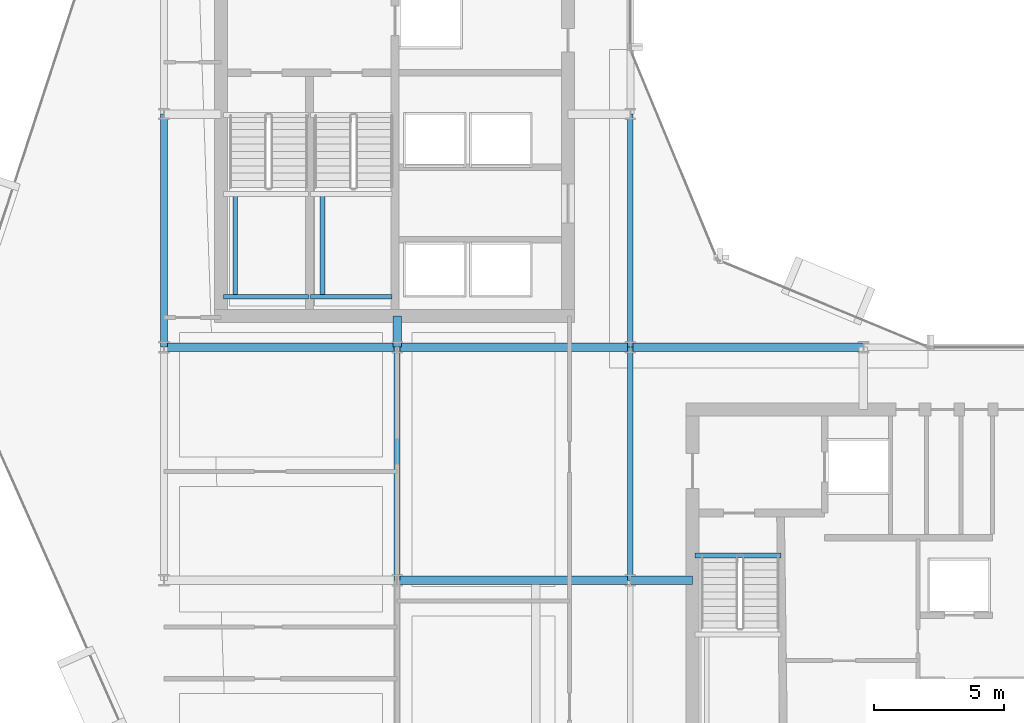
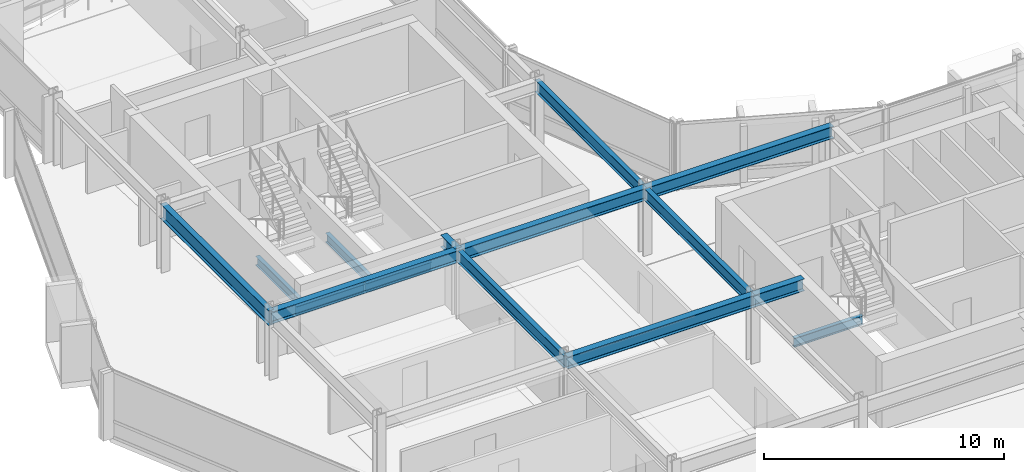
# One storey, part 7 of 29: 15 beams.
"""IFC4 building model written with IfcOpenShell, lengths in metres."""

import ifcopenshell
import ifcopenshell.guid

model = None  # the IFC model being written
_history = None  # IfcOwnerHistory: only IFC2X3 demands one
_inside = {}  # id of a spatial element -> (the spatial element, [elements in it])
_under = {}  # id of a project, library or spatial element -> (it, [spatial elements below it])
_declared = {}  # id of a project -> (the project, [libraries it declares])
_typed = {}  # id of a type object -> (the type object, [elements of that type])
_made_of = {}  # id of a material, layer set ... -> (it, [elements and type objects made of it])


def new_model(schema):
    """Start an empty IFC model of exactly this schema.

    Asked for "IFC4X3", IfcOpenShell would pick the latest addendum, in which some entities
    have other attributes; the version numbers below select the first issue.
    IFC2X3 requires an IfcOwnerHistory on every rooted entity: one is made here for all.
    """
    global model, _history
    if schema == "IFC4X3":
        model = ifcopenshell.file(schema_version=(4, 3, 0, 0))
    else:
        model = ifcopenshell.file(schema=schema)
    _inside.clear()
    _under.clear()
    _declared.clear()
    _typed.clear()
    _made_of.clear()
    _history = None
    if model.schema == "IFC2X3":
        org = make("IfcOrganization", Name="unknown")
        user = make(
            "IfcPersonAndOrganization",
            ThePerson=make("IfcPerson", FamilyName="unknown"),
            TheOrganization=org,
        )
        app = make(
            "IfcApplication",
            ApplicationDeveloper=org,
            Version="unknown",
            ApplicationFullName="unknown",
            ApplicationIdentifier="unknown",
        )
        _history = make(
            "IfcOwnerHistory",
            OwningUser=user,
            OwningApplication=app,
            ChangeAction="ADDED",
            CreationDate=0,
        )
    return model


def make(cls, **values):
    """One entity of the class cls with the attributes given. An attribute that is None is left unset."""
    return model.create_entity(
        cls, **{name: value for name, value in values.items() if value is not None}
    )


def rooted(cls, **values):
    """An entity with a GlobalId (a new one), such as an element, a storey or a relation."""
    return make(cls, GlobalId=ifcopenshell.guid.new(), OwnerHistory=_history, **values)


def si_unit(unit_type, name, prefix=None):
    """IfcSIUnit, for example si_unit("LENGTHUNIT", "METRE", prefix="MILLI")."""
    return make("IfcSIUnit", UnitType=unit_type, Prefix=prefix, Name=name)


def assignment(units):
    """IfcUnitAssignment: the units of a project."""
    return None if units is None else make("IfcUnitAssignment", Units=units)


def point(xyz):
    """IfcCartesianPoint."""
    return None if xyz is None else make("IfcCartesianPoint", Coordinates=xyz)


def direction(xyz):
    """IfcDirection."""
    return None if xyz is None else make("IfcDirection", DirectionRatios=xyz)


def frame(location, z_axis=None, x_axis=None):
    """IfcAxis2Placement3D, a coordinate frame: its origin and axes. An axis left out is left unset."""
    return make(
        "IfcAxis2Placement3D",
        Location=point(location),
        Axis=direction(z_axis),
        RefDirection=direction(x_axis),
    )


def frame_2d(location, x_axis=None):
    """IfcAxis2Placement2D, a coordinate frame in the plane: its origin and x axis."""
    return make(
        "IfcAxis2Placement2D", Location=point(location), RefDirection=direction(x_axis)
    )


def origin():
    """The frame at (0, 0, 0) with its axes left unset."""
    return frame((0.0, 0.0, 0.0))


def origin_2d():
    """The frame at (0, 0) in the plane with its x axis left unset."""
    return frame_2d((0.0, 0.0))


def place(relative_to, where):
    """IfcLocalPlacement: puts the frame where relative to a parent placement (None: the world)."""
    return make(
        "IfcLocalPlacement", PlacementRelTo=relative_to, RelativePlacement=where
    )


def context(
    kind, dimensions, precision=None, world=None, true_north=None, identifier=None
):
    """IfcGeometricRepresentationContext, for example the 3D "Model" context."""
    return make(
        "IfcGeometricRepresentationContext",
        ContextIdentifier=identifier,
        ContextType=kind,
        CoordinateSpaceDimension=dimensions,
        Precision=precision,
        WorldCoordinateSystem=world,
        TrueNorth=true_north,
    )


def subcontext(parent, identifier, kind, view, scale=None):
    """IfcGeometricRepresentationSubContext, for example "Body" below "Model"."""
    return make(
        "IfcGeometricRepresentationSubContext",
        ContextIdentifier=identifier,
        ContextType=kind,
        ParentContext=parent,
        TargetScale=scale,
        TargetView=view,
    )


def project(units=None, contexts=None):
    """IfcProject with its units and contexts."""
    return rooted(
        "IfcProject",
        Name="project",
        RepresentationContexts=contexts,
        UnitsInContext=assignment(units),
    )


def spatial(cls, under=None, at=None, **own):
    """A site, building, storey or space (cls), placed at a placement, below another one or the project."""
    s = rooted(cls, ObjectPlacement=at, **own)
    if under is not None:
        _under.setdefault(under.id(), (under, []))[1].append(s)
    return s


def profile(cls, at=None, kind="AREA", **sizes):
    """A parametric profile (cls). Its sizes go by their IFC names, for example OverallWidth=200.0."""
    return make(cls, ProfileType=kind, Position=at, **sizes)


def i_section(**sizes):
    """IfcIShapeProfileDef."""
    return profile("IfcIShapeProfileDef", **sizes)


def extrude(swept, where, along, depth):
    """IfcExtrudedAreaSolid: the profile swept, set in the frame where, extruded along a direction by depth."""
    return make(
        "IfcExtrudedAreaSolid",
        SweptArea=swept,
        Position=where,
        ExtrudedDirection=direction(along),
        Depth=depth,
    )


def shape(context_of_items, identifier, shape_type, items):
    """IfcShapeRepresentation: the items that make up one representation, for example the "Body"."""
    return make(
        "IfcShapeRepresentation",
        ContextOfItems=context_of_items,
        RepresentationIdentifier=identifier,
        RepresentationType=shape_type,
        Items=items,
    )


def material(Name=None, Category=None):
    """IfcMaterial."""
    return make("IfcMaterial", Name=Name, Category=Category)


def material_profile(
    of_material, cross_section, Name=None, Category=None, Priority=None
):
    """IfcMaterialProfile: a cross section and its material."""
    return make(
        "IfcMaterialProfile",
        Name=Name,
        Material=of_material,
        Profile=cross_section,
        Priority=Priority,
        Category=Category,
    )


def profile_set(profiles, Name=None, composite=None):
    """IfcMaterialProfileSet."""
    return make(
        "IfcMaterialProfileSet",
        Name=Name,
        MaterialProfiles=profiles,
        CompositeProfile=composite,
    )


def made_of(thing, what):
    """Note that an element or type object is made of a material, layer set ...; save() writes the relation."""
    if what is not None:
        _made_of.setdefault(what.id(), (what, []))[1].append(thing)
    return thing


def type_object(cls, material=None, **own):
    """A type object (cls), such as IfcWallType, which elements share."""
    return made_of(rooted(cls, **own), material)


def element(
    cls,
    number,
    at=None,
    inside=None,
    cuts=None,
    type_object=None,
    material=None,
    context=None,
    identifier="Body",
    shape_type=None,
    held_by="IfcProductDefinitionShape",
    body=None,
    shapes=None,
    **own,
):
    """One element of the class cls, such as IfcWall. Its Tag is "e" and its number.

    at: its placement. inside: the storey or other place that contains it. cuts: it is an
    opening in that element (IfcRelVoidsElement). A single representation is given by context,
    identifier, shape_type and body (its items); several are given by shapes. held_by: the class
    of the entity that holds the representations. save() writes the other relations.
    """
    e = rooted(cls, Tag="e%d" % number, ObjectPlacement=at, **own)
    if body is not None:
        shapes = [shape(context, identifier, shape_type, body)]
    if shapes is not None:
        e.Representation = make(held_by, Representations=shapes)
    if inside is not None:
        _inside.setdefault(inside.id(), (inside, []))[1].append(e)
    if cuts is not None:
        rooted(
            "IfcRelVoidsElement", RelatingBuildingElement=cuts, RelatedOpeningElement=e
        )
    if type_object is not None:
        _typed.setdefault(type_object.id(), (type_object, []))[1].append(e)
    return made_of(e, material)


def aggregate(whole, parts):
    """IfcRelAggregates: a whole, such as a stair, and the parts it consists of."""
    return rooted("IfcRelAggregates", RelatingObject=whole, RelatedObjects=parts)


def save(model, path):
    """Write the relations noted so far, then the file.

    IfcRelAggregates (storeys below a building ...), IfcRelContainedInSpatialStructure (elements
    in a storey), IfcRelDefinesByType, IfcRelAssociatesMaterial and IfcRelDeclares: one each for
    every whole, place, type object, material and project.
    """
    for whole, parts in _under.values():
        aggregate(whole, parts)
    for where, things in _inside.values():
        rooted(
            "IfcRelContainedInSpatialStructure",
            RelatedElements=things,
            RelatingStructure=where,
        )
    for kind, things in _typed.values():
        rooted("IfcRelDefinesByType", RelatedObjects=things, RelatingType=kind)
    for what, things in _made_of.values():
        rooted("IfcRelAssociatesMaterial", RelatedObjects=things, RelatingMaterial=what)
    for by, libraries in _declared.values():
        rooted("IfcRelDeclares", RelatingContext=by, RelatedDefinitions=libraries)
    model.write(path)


model = new_model("IFC4")

# Units and contexts
model_context = context("Model", 3, precision=1e-05, world=origin(), true_north=direction((0.0, 1.0)))
body_context = subcontext(model_context, "Body", "Model", "MODEL_VIEW")
ifc_project = project(units=[si_unit("LENGTHUNIT", "METRE"), si_unit("AREAUNIT", "SQUARE_METRE"), si_unit("VOLUMEUNIT", "CUBIC_METRE"), si_unit("PLANEANGLEUNIT", "RADIAN"), si_unit("MASSUNIT", "GRAM", prefix="KILO")], contexts=[model_context])

# Site, building, storey
site_placement = place(None, origin())
site = spatial("IfcSite", under=ifc_project, at=site_placement, CompositionType="ELEMENT")
building_placement = place(site_placement, origin())
building = spatial("IfcBuilding", under=site, at=building_placement, Name="Solvaryn Broadcast Tower", CompositionType="ELEMENT")
storey_placement = place(building_placement, frame((0.0, 0.0, 147.0)))
storey = spatial("IfcBuildingStorey", under=building, at=storey_placement, Name="L36", CompositionType="ELEMENT", Elevation=147.0)

# Beams
ifc_material_1 = material(Name="Steel ASTM A992 Grade 50", Category="steel")
ifc_material_profile_1 = material_profile(ifc_material_1, i_section(OverallWidth=0.323974609375, OverallDepth=0.611083984375, WebThickness=0.0126953125, FlangeThickness=0.01904296875, FilletRadius=0.014892578125, at=origin_2d()))
ifc_profile_set_1 = profile_set([ifc_material_profile_1], Name="Steel ASTM A992 Grade 50")
beam_type_1 = type_object("IfcBeamType", Name="BM-B1-W24X104", PredefinedType="BEAM", material=ifc_profile_set_1)
for number, where, z_axis, x_axis, name in (
    (1, (18.0, 18.0, 3.114501953125), (1.0, 0.0, 0.0), (0.0, 1.0, 0.0), "L36 Primary Beam X (18-27 @ Y=18)"),
    (2, (9.0, 27.0, 3.114501953125), (1.0, 0.0, 0.0), (0.0, 1.0, 0.0), "L36 Primary Beam X (9-18 @ Y=27)"),
    (3, (18.0, 27.0, 3.114501953125), (1.0, 0.0, 0.0), (0.0, 1.0, 0.0), "L36 Primary Beam X (18-27 @ Y=27)"),
    (4, (27.0, 27.0, 3.114501953125), (1.0, 0.0, 0.0), (0.0, 1.0, 0.0), "L36 Primary Beam X (27-36 @ Y=27)"),
):
    element("IfcBeam", number, at=place(storey_placement, frame(where, z_axis=z_axis, x_axis=x_axis)), inside=storey, type_object=beam_type_1, Name=name, PredefinedType="BEAM", context=body_context, shape_type="SweptSolid", body=[
        extrude(i_section(OverallWidth=0.323974609375, OverallDepth=0.611083984375, WebThickness=0.0126953125, FlangeThickness=0.01904296875, FilletRadius=0.014892578125, at=origin_2d()), origin(), (0.0, 0.0, 1.0), 9.0),
    ])
beam_1_placement = place(storey_placement, frame((18.0, 27.0, 3.114501953125), z_axis=(0.0, 1.0, 0.0), x_axis=(-1.0, 0.0, 0.0)))
element("IfcBeam", 5, at=beam_1_placement, inside=storey, type_object=beam_type_1, Name="L36 Core Tie Beam CTW4", PredefinedType="BEAM", context=body_context, shape_type="SweptSolid", body=[
    extrude(i_section(OverallWidth=0.323974609375, OverallDepth=0.611083984375, WebThickness=0.0126953125, FlangeThickness=0.01904296875, FilletRadius=0.014892578125, at=origin_2d()), origin(), (0.0, 0.0, 1.0), 1.199951171875),
])
beam_2_placement = place(storey_placement, frame((27.0, 18.0, 3.114501953125), z_axis=(1.0, 0.0, 0.0), x_axis=(0.0, 1.0, 0.0)))
element("IfcBeam", 6, at=beam_2_placement, inside=storey, type_object=beam_type_1, Name="L36 Core Tie Beam CTE4", PredefinedType="BEAM", context=body_context, shape_type="SweptSolid", body=[
    extrude(i_section(OverallWidth=0.323974609375, OverallDepth=0.611083984375, WebThickness=0.0126953125, FlangeThickness=0.01904296875, FilletRadius=0.014892578125, at=origin_2d()), origin(), (0.0, 0.0, 1.0), 2.39990234375),
])
ifc_material_2 = material(Name="Steel ASTM A992 Grade 50", Category="steel")
ifc_material_profile_2 = material_profile(ifc_material_2, i_section(OverallWidth=0.22802734375, OverallDepth=0.60791015625, WebThickness=0.01123046875, FlangeThickness=0.017333984375, FilletRadius=0.014892578125, at=origin_2d()))
ifc_profile_set_2 = profile_set([ifc_material_profile_2], Name="Steel ASTM A992 Grade 50")
beam_type_2 = type_object("IfcBeamType", Name="BM-B2-W24X76", PredefinedType="BEAM", material=ifc_profile_set_2)
for number, where, z_axis, x_axis, name in (
    (7, (18.0, 18.0, 3.115966796875), (0.0, 1.0, 0.0), (-1.0, 0.0, 0.0), "L36 Primary Beam Y (18-27 @ X=18)"),
    (8, (27.0, 18.0, 3.115966796875), (0.0, 1.0, 0.0), (-1.0, 0.0, 0.0), "L36 Primary Beam Y (18-27 @ X=27)"),
    (9, (27.0, 27.0, 3.115966796875), (0.0, 1.0, 0.0), (-1.0, 0.0, 0.0), "L36 Primary Beam Y (27-36 @ X=27)"),
):
    element("IfcBeam", number, at=place(storey_placement, frame(where, z_axis=z_axis, x_axis=x_axis)), inside=storey, type_object=beam_type_2, Name=name, PredefinedType="BEAM", context=body_context, shape_type="SweptSolid", body=[
        extrude(i_section(OverallWidth=0.22802734375, OverallDepth=0.60791015625, WebThickness=0.01123046875, FlangeThickness=0.017333984375, FilletRadius=0.014892578125, at=origin_2d()), origin(), (0.0, 0.0, 1.0), 9.0),
    ])
ifc_material_3 = material(Name="Steel ASTM A992 Grade 50", Category="steel")
ifc_material_profile_3 = material_profile(ifc_material_3, i_section(OverallWidth=0.18994140625, OverallDepth=0.45703125, WebThickness=0.009033203125, FlangeThickness=0.014404296875, FilletRadius=0.011962890625, at=origin_2d()))
ifc_profile_set_3 = profile_set([ifc_material_profile_3], Name="Steel ASTM A992 Grade 50")
beam_type_3 = type_object("IfcBeamType", Name="BM-B4-W18X50", PredefinedType="BEAM", material=ifc_profile_set_3)
beam_3_placement = place(storey_placement, frame((11.300048828125, 28.949951171875, 1.42138671875), z_axis=(1.0, 0.0, 0.0), x_axis=(0.0, 1.0, 0.0)))
element("IfcBeam", 10, at=beam_3_placement, inside=storey, type_object=beam_type_3, Name="L36 ST1 Landing Support Beam 1A", PredefinedType="BEAM", context=body_context, shape_type="SweptSolid", body=[
    extrude(i_section(OverallWidth=0.18994140625, OverallDepth=0.45703125, WebThickness=0.009033203125, FlangeThickness=0.014404296875, FilletRadius=0.011962890625, at=origin_2d()), origin(), (0.0, 0.0, 1.0), 3.280029296875),
])
beam_4_placement = place(storey_placement, frame((11.75, 28.949951171875, 1.42138671875), z_axis=(0.0, 1.0, 0.0), x_axis=(-1.0, 0.0, 0.0)))
element("IfcBeam", 11, at=beam_4_placement, inside=storey, type_object=beam_type_3, Name="L36 ST1 Landing Cross Stringer 1C", PredefinedType="BEAM", context=body_context, shape_type="SweptSolid", body=[
    extrude(i_section(OverallWidth=0.18994140625, OverallDepth=0.45703125, WebThickness=0.009033203125, FlangeThickness=0.014404296875, FilletRadius=0.011962890625, at=origin_2d()), origin(), (0.0, 0.0, 1.0), 3.9599609375),
])
beam_5_placement = place(storey_placement, frame((14.659912109375, 28.949951171875, 1.42138671875), z_axis=(1.0, 0.0, 0.0), x_axis=(0.0, 1.0, 0.0)))
element("IfcBeam", 12, at=beam_5_placement, inside=storey, type_object=beam_type_3, Name="L36 ST2 Landing Support Beam 1A", PredefinedType="BEAM", context=body_context, shape_type="SweptSolid", body=[
    extrude(i_section(OverallWidth=0.18994140625, OverallDepth=0.45703125, WebThickness=0.009033203125, FlangeThickness=0.014404296875, FilletRadius=0.011962890625, at=origin_2d()), origin(), (0.0, 0.0, 1.0), 3.14013671875),
])
beam_6_placement = place(storey_placement, frame((15.110107421875, 28.949951171875, 1.42138671875), z_axis=(0.0, 1.0, 0.0), x_axis=(-1.0, 0.0, 0.0)))
element("IfcBeam", 13, at=beam_6_placement, inside=storey, type_object=beam_type_3, Name="L36 ST2 Landing Cross Stringer 1C", PredefinedType="BEAM", context=body_context, shape_type="SweptSolid", body=[
    extrude(i_section(OverallWidth=0.18994140625, OverallDepth=0.45703125, WebThickness=0.009033203125, FlangeThickness=0.014404296875, FilletRadius=0.011962890625, at=origin_2d()), origin(), (0.0, 0.0, 1.0), 3.9599609375),
])
beam_7_placement = place(storey_placement, frame((29.5, 18.9599609375, -0.508544921875), z_axis=(1.0, 0.0, 0.0), x_axis=(0.0, 1.0, 0.0)))
element("IfcBeam", 14, at=beam_7_placement, inside=storey, type_object=beam_type_3, Name="L36 ST3 Stair Well Trimmer Beam", PredefinedType="BEAM", context=body_context, shape_type="SweptSolid", body=[
    extrude(i_section(OverallWidth=0.18994140625, OverallDepth=0.45703125, WebThickness=0.009033203125, FlangeThickness=0.014404296875, FilletRadius=0.011962890625, at=origin_2d()), origin(), (0.0, 0.0, 1.0), 3.320068359375),
])
ifc_material_4 = material(Name="Steel ASTM A992 Grade 50", Category="steel")
ifc_material_profile_4 = material_profile(ifc_material_4, i_section(OverallWidth=0.26708984375, OverallDepth=0.76611328125, WebThickness=0.014892578125, FlangeThickness=0.023681640625, FilletRadius=0.01806640625, at=origin_2d()))
ifc_profile_set_4 = profile_set([ifc_material_profile_4], Name="Steel ASTM A992 Grade 50")
beam_type_4 = type_object("IfcBeamType", Name="BM-SP2-W30X124", PredefinedType="USERDEFINED", material=ifc_profile_set_4)
beam_8_placement = place(storey_placement, frame((9.0, 27.0, 3.037109375), z_axis=(0.0, 1.0, 0.0), x_axis=(-1.0, 0.0, 0.0)))
element("IfcBeam", 15, at=beam_8_placement, inside=storey, type_object=beam_type_4, Name="L36 Spandrel Beam Y (27-36 @ X=9)", ObjectType="SPANDREL", PredefinedType="USERDEFINED", context=body_context, shape_type="SweptSolid", body=[
    extrude(i_section(OverallWidth=0.26708984375, OverallDepth=0.76611328125, WebThickness=0.014892578125, FlangeThickness=0.023681640625, FilletRadius=0.01806640625, at=origin_2d()), origin(), (0.0, 0.0, 1.0), 9.0),
])

save(model, "model.ifc")
